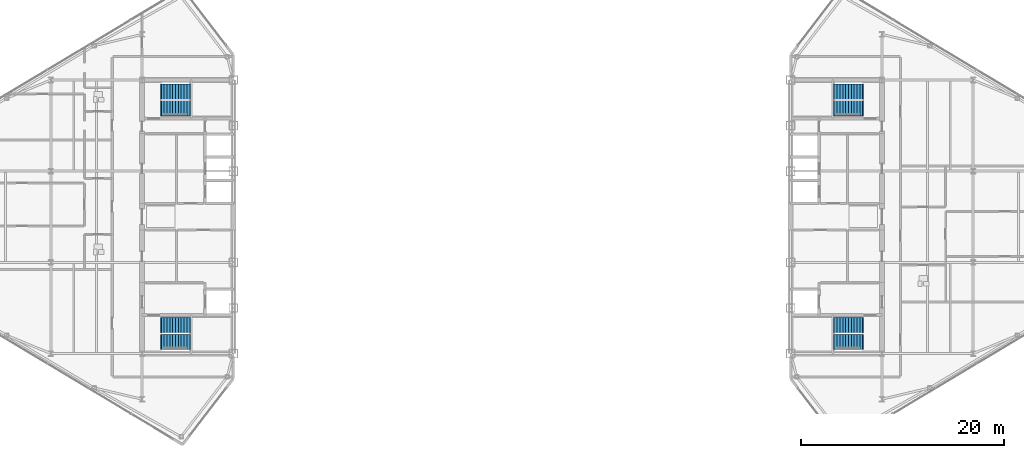
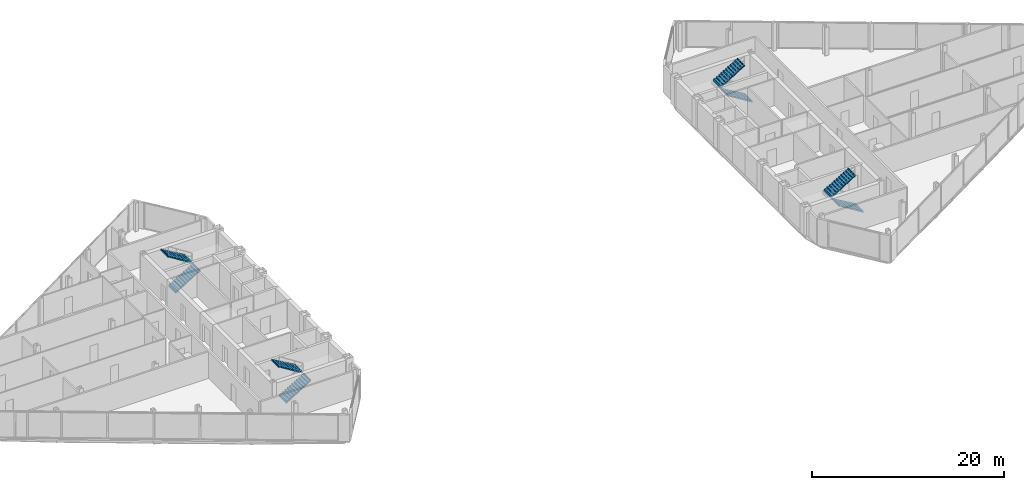
# One storey, part 23 of 25: 8 stair flights, 4 elements without a shape of their own.
"""IFC4 building model written with IfcOpenShell, lengths in metres."""

from ifc_helpers import new_model, si_unit, direction, frame, origin, place, context, subcontext, project, spatial, polyline, outline, extrude, material, type_object, element, aggregate, save


model = new_model("IFC4")

# Units and contexts
model_context = context("Model", 3, precision=1e-05, world=origin(), true_north=direction((0.0, 1.0)))
body_context = subcontext(model_context, "Body", "Model", "MODEL_VIEW")
ifc_project = project(units=[si_unit("LENGTHUNIT", "METRE"), si_unit("AREAUNIT", "SQUARE_METRE"), si_unit("VOLUMEUNIT", "CUBIC_METRE"), si_unit("PLANEANGLEUNIT", "RADIAN"), si_unit("MASSUNIT", "GRAM", prefix="KILO")], contexts=[model_context])

# Site, building, storey
site_placement = place(None, origin())
site = spatial("IfcSite", under=ifc_project, at=site_placement, CompositionType="ELEMENT")
building_placement = place(site_placement, origin())
building = spatial("IfcBuilding", under=site, at=building_placement, Name="Seokmaru Belvedere", CompositionType="ELEMENT")
storey_placement = place(building_placement, frame((0.0, 0.0, 217.5)))
storey = spatial("IfcBuildingStorey", under=building, at=storey_placement, Name="L58", CompositionType="ELEMENT", Elevation=217.5)

# Stair, stair flights
ifc_material = material(Name="Concrete C40 (40 MPa)", Category="concrete")
stair_type = type_object("IfcStairType", Name="Typical Tower Core Dog-Leg Stair 3600", PredefinedType="TWO_STRAIGHT_RUN_STAIR", material=ifc_material)
stair_1_placement = place(storey_placement, origin())
stair_1 = element("IfcStair", 1, at=stair_1_placement, inside=storey, type_object=stair_type, Name="L58 Special Escape Stair ST-W1", PredefinedType="TWO_STRAIGHT_RUN_STAIR")
stair_flight_type = type_object("IfcStairFlightType", Name="Reinforced Concrete Stair Flight 1500", PredefinedType="STRAIGHT", material=ifc_material)
stair_flight_1_placement = place(storey_placement, frame((-34.60009765625, -12.35009765625, 0.0), z_axis=(0.0, 0.0, 1.0), x_axis=(1.0, 0.0, 0.0)))
stair_flight_1 = element("IfcStairFlight", 2, at=stair_flight_1_placement, type_object=stair_flight_type, Name="ST-W1 flight 1", NumberOfRisers=11, NumberOfTreads=10, PredefinedType="STRAIGHT", RiserHeight=0.163636364, TreadLength=0.28, context=body_context, shape_type="SweptSolid", body=[
    extrude(outline(polyline([(-0.080078125, 0.0), (0.0, 0.16357421875), (0.280029296875, 0.16357421875), (0.280029296875, 0.327392578125), (0.56005859375, 0.327392578125), (0.56005859375, 0.490966796875), (0.840087890625, 0.490966796875), (0.840087890625, 0.654541015625), (1.1201171875, 0.654541015625), (1.1201171875, 0.818115234375), (1.39990234375, 0.818115234375), (1.39990234375, 0.98193359375), (1.679931640625, 0.98193359375), (1.679931640625, 1.1455078125), (1.9599609375, 1.1455078125), (1.9599609375, 1.30908203125), (2.239990234375, 1.30908203125), (2.239990234375, 1.47265625), (2.52001953125, 1.47265625), (2.52001953125, 1.636474609375), (2.800048828125, 1.636474609375), (2.800048828125, 1.800048828125), (2.8798828125, 1.800048828125), (2.8798828125, 1.610107421875), (2.800048828125, 1.610107421875), (0.0, -0.159912109375), (-0.080078125, -0.159912109375), (-0.080078125, 0.0)])), frame((0.0, 0.75, 0.0), z_axis=(0.0, -1.0, 0.0), x_axis=(1.0, 0.0, 0.0)), (0.0, 0.0, 1.0), 1.5),
])
stair_flight_2_placement = place(storey_placement, frame((-31.800048828125, -10.7099609375, 1.800048828125), z_axis=(0.0, 0.0, 1.0), x_axis=(-1.0, 0.0, 0.0)))
stair_flight_2 = element("IfcStairFlight", 3, at=stair_flight_2_placement, type_object=stair_flight_type, Name="ST-W1 flight 2", NumberOfRisers=11, NumberOfTreads=10, PredefinedType="STRAIGHT", RiserHeight=0.163636364, TreadLength=0.28, context=body_context, shape_type="SweptSolid", body=[
    extrude(outline(polyline([(-0.080078125, 0.0), (0.0, 0.16357421875), (0.280029296875, 0.16357421875), (0.280029296875, 0.327392578125), (0.56005859375, 0.327392578125), (0.56005859375, 0.490966796875), (0.840087890625, 0.490966796875), (0.840087890625, 0.654541015625), (1.1201171875, 0.654541015625), (1.1201171875, 0.818115234375), (1.39990234375, 0.818115234375), (1.39990234375, 0.98193359375), (1.679931640625, 0.98193359375), (1.679931640625, 1.1455078125), (1.9599609375, 1.1455078125), (1.9599609375, 1.30908203125), (2.239990234375, 1.30908203125), (2.239990234375, 1.47265625), (2.52001953125, 1.47265625), (2.52001953125, 1.636474609375), (2.800048828125, 1.636474609375), (2.800048828125, 1.800048828125), (2.8798828125, 1.800048828125), (2.8798828125, 1.610107421875), (2.800048828125, 1.610107421875), (0.0, -0.159912109375), (-0.080078125, -0.159912109375), (-0.080078125, 0.0)])), frame((0.0, 0.75, 0.0), z_axis=(0.0, -1.0, 0.0), x_axis=(1.0, 0.0, 0.0)), (0.0, 0.0, 1.0), 1.5),
])
aggregate(stair_1, [stair_flight_1, stair_flight_2])

stair_2_placement = place(storey_placement, origin())
stair_2 = element("IfcStair", 4, at=stair_2_placement, inside=storey, type_object=stair_type, Name="L58 Special Escape Stair ST-W2", PredefinedType="TWO_STRAIGHT_RUN_STAIR")
stair_flight_3_placement = place(storey_placement, frame((-34.60009765625, 10.7099609375, 0.0), z_axis=(0.0, 0.0, 1.0), x_axis=(1.0, 0.0, 0.0)))
stair_flight_3 = element("IfcStairFlight", 5, at=stair_flight_3_placement, type_object=stair_flight_type, Name="ST-W2 flight 1", NumberOfRisers=11, NumberOfTreads=10, PredefinedType="STRAIGHT", RiserHeight=0.163636364, TreadLength=0.28, context=body_context, shape_type="SweptSolid", body=[
    extrude(outline(polyline([(-0.080078125, 0.0), (0.0, 0.16357421875), (0.280029296875, 0.16357421875), (0.280029296875, 0.327392578125), (0.56005859375, 0.327392578125), (0.56005859375, 0.490966796875), (0.840087890625, 0.490966796875), (0.840087890625, 0.654541015625), (1.1201171875, 0.654541015625), (1.1201171875, 0.818115234375), (1.39990234375, 0.818115234375), (1.39990234375, 0.98193359375), (1.679931640625, 0.98193359375), (1.679931640625, 1.1455078125), (1.9599609375, 1.1455078125), (1.9599609375, 1.30908203125), (2.239990234375, 1.30908203125), (2.239990234375, 1.47265625), (2.52001953125, 1.47265625), (2.52001953125, 1.636474609375), (2.800048828125, 1.636474609375), (2.800048828125, 1.800048828125), (2.8798828125, 1.800048828125), (2.8798828125, 1.610107421875), (2.800048828125, 1.610107421875), (0.0, -0.159912109375), (-0.080078125, -0.159912109375), (-0.080078125, 0.0)])), frame((0.0, 0.75, 0.0), z_axis=(0.0, -1.0, 0.0), x_axis=(1.0, 0.0, 0.0)), (0.0, 0.0, 1.0), 1.5),
])
stair_flight_4_placement = place(storey_placement, frame((-31.800048828125, 12.35009765625, 1.800048828125), z_axis=(0.0, 0.0, 1.0), x_axis=(-1.0, 0.0, 0.0)))
stair_flight_4 = element("IfcStairFlight", 6, at=stair_flight_4_placement, type_object=stair_flight_type, Name="ST-W2 flight 2", NumberOfRisers=11, NumberOfTreads=10, PredefinedType="STRAIGHT", RiserHeight=0.163636364, TreadLength=0.28, context=body_context, shape_type="SweptSolid", body=[
    extrude(outline(polyline([(-0.080078125, 0.0), (0.0, 0.16357421875), (0.280029296875, 0.16357421875), (0.280029296875, 0.327392578125), (0.56005859375, 0.327392578125), (0.56005859375, 0.490966796875), (0.840087890625, 0.490966796875), (0.840087890625, 0.654541015625), (1.1201171875, 0.654541015625), (1.1201171875, 0.818115234375), (1.39990234375, 0.818115234375), (1.39990234375, 0.98193359375), (1.679931640625, 0.98193359375), (1.679931640625, 1.1455078125), (1.9599609375, 1.1455078125), (1.9599609375, 1.30908203125), (2.239990234375, 1.30908203125), (2.239990234375, 1.47265625), (2.52001953125, 1.47265625), (2.52001953125, 1.636474609375), (2.800048828125, 1.636474609375), (2.800048828125, 1.800048828125), (2.8798828125, 1.800048828125), (2.8798828125, 1.610107421875), (2.800048828125, 1.610107421875), (0.0, -0.159912109375), (-0.080078125, -0.159912109375), (-0.080078125, 0.0)])), frame((0.0, 0.75, 0.0), z_axis=(0.0, -1.0, 0.0), x_axis=(1.0, 0.0, 0.0)), (0.0, 0.0, 1.0), 1.5),
])
aggregate(stair_2, [stair_flight_3, stair_flight_4])

stair_3_placement = place(storey_placement, origin())
stair_3 = element("IfcStair", 7, at=stair_3_placement, inside=storey, type_object=stair_type, Name="L58 Special Escape Stair ST-E1", PredefinedType="TWO_STRAIGHT_RUN_STAIR")
stair_flight_5_placement = place(storey_placement, frame((34.60009765625, -12.35009765625, 0.0), z_axis=(0.0, 0.0, 1.0), x_axis=(-1.0, 0.0, 0.0)))
stair_flight_5 = element("IfcStairFlight", 8, at=stair_flight_5_placement, type_object=stair_flight_type, Name="ST-E1 flight 1", NumberOfRisers=11, NumberOfTreads=10, PredefinedType="STRAIGHT", RiserHeight=0.163636364, TreadLength=0.28, context=body_context, shape_type="SweptSolid", body=[
    extrude(outline(polyline([(-0.080078125, 0.0), (0.0, 0.16357421875), (0.280029296875, 0.16357421875), (0.280029296875, 0.327392578125), (0.56005859375, 0.327392578125), (0.56005859375, 0.490966796875), (0.840087890625, 0.490966796875), (0.840087890625, 0.654541015625), (1.1201171875, 0.654541015625), (1.1201171875, 0.818115234375), (1.39990234375, 0.818115234375), (1.39990234375, 0.98193359375), (1.679931640625, 0.98193359375), (1.679931640625, 1.1455078125), (1.9599609375, 1.1455078125), (1.9599609375, 1.30908203125), (2.239990234375, 1.30908203125), (2.239990234375, 1.47265625), (2.52001953125, 1.47265625), (2.52001953125, 1.636474609375), (2.800048828125, 1.636474609375), (2.800048828125, 1.800048828125), (2.8798828125, 1.800048828125), (2.8798828125, 1.610107421875), (2.800048828125, 1.610107421875), (0.0, -0.159912109375), (-0.080078125, -0.159912109375), (-0.080078125, 0.0)])), frame((0.0, 0.75, 0.0), z_axis=(0.0, -1.0, 0.0), x_axis=(1.0, 0.0, 0.0)), (0.0, 0.0, 1.0), 1.5),
])
stair_flight_6_placement = place(storey_placement, frame((31.800048828125, -10.7099609375, 1.800048828125), z_axis=(0.0, 0.0, 1.0), x_axis=(1.0, 0.0, 0.0)))
stair_flight_6 = element("IfcStairFlight", 9, at=stair_flight_6_placement, type_object=stair_flight_type, Name="ST-E1 flight 2", NumberOfRisers=11, NumberOfTreads=10, PredefinedType="STRAIGHT", RiserHeight=0.163636364, TreadLength=0.28, context=body_context, shape_type="SweptSolid", body=[
    extrude(outline(polyline([(-0.080078125, 0.0), (0.0, 0.16357421875), (0.280029296875, 0.16357421875), (0.280029296875, 0.327392578125), (0.56005859375, 0.327392578125), (0.56005859375, 0.490966796875), (0.840087890625, 0.490966796875), (0.840087890625, 0.654541015625), (1.1201171875, 0.654541015625), (1.1201171875, 0.818115234375), (1.39990234375, 0.818115234375), (1.39990234375, 0.98193359375), (1.679931640625, 0.98193359375), (1.679931640625, 1.1455078125), (1.9599609375, 1.1455078125), (1.9599609375, 1.30908203125), (2.239990234375, 1.30908203125), (2.239990234375, 1.47265625), (2.52001953125, 1.47265625), (2.52001953125, 1.636474609375), (2.800048828125, 1.636474609375), (2.800048828125, 1.800048828125), (2.8798828125, 1.800048828125), (2.8798828125, 1.610107421875), (2.800048828125, 1.610107421875), (0.0, -0.159912109375), (-0.080078125, -0.159912109375), (-0.080078125, 0.0)])), frame((0.0, 0.75, 0.0), z_axis=(0.0, -1.0, 0.0), x_axis=(1.0, 0.0, 0.0)), (0.0, 0.0, 1.0), 1.5),
])
aggregate(stair_3, [stair_flight_5, stair_flight_6])

stair_4_placement = place(storey_placement, origin())
stair_4 = element("IfcStair", 10, at=stair_4_placement, inside=storey, type_object=stair_type, Name="L58 Special Escape Stair ST-E2", PredefinedType="TWO_STRAIGHT_RUN_STAIR")
stair_flight_7_placement = place(storey_placement, frame((34.60009765625, 10.7099609375, 0.0), z_axis=(0.0, 0.0, 1.0), x_axis=(-1.0, 0.0, 0.0)))
stair_flight_7 = element("IfcStairFlight", 11, at=stair_flight_7_placement, type_object=stair_flight_type, Name="ST-E2 flight 1", NumberOfRisers=11, NumberOfTreads=10, PredefinedType="STRAIGHT", RiserHeight=0.163636364, TreadLength=0.28, context=body_context, shape_type="SweptSolid", body=[
    extrude(outline(polyline([(-0.080078125, 0.0), (0.0, 0.16357421875), (0.280029296875, 0.16357421875), (0.280029296875, 0.327392578125), (0.56005859375, 0.327392578125), (0.56005859375, 0.490966796875), (0.840087890625, 0.490966796875), (0.840087890625, 0.654541015625), (1.1201171875, 0.654541015625), (1.1201171875, 0.818115234375), (1.39990234375, 0.818115234375), (1.39990234375, 0.98193359375), (1.679931640625, 0.98193359375), (1.679931640625, 1.1455078125), (1.9599609375, 1.1455078125), (1.9599609375, 1.30908203125), (2.239990234375, 1.30908203125), (2.239990234375, 1.47265625), (2.52001953125, 1.47265625), (2.52001953125, 1.636474609375), (2.800048828125, 1.636474609375), (2.800048828125, 1.800048828125), (2.8798828125, 1.800048828125), (2.8798828125, 1.610107421875), (2.800048828125, 1.610107421875), (0.0, -0.159912109375), (-0.080078125, -0.159912109375), (-0.080078125, 0.0)])), frame((0.0, 0.75, 0.0), z_axis=(0.0, -1.0, 0.0), x_axis=(1.0, 0.0, 0.0)), (0.0, 0.0, 1.0), 1.5),
])
stair_flight_8_placement = place(storey_placement, frame((31.800048828125, 12.35009765625, 1.800048828125), z_axis=(0.0, 0.0, 1.0), x_axis=(1.0, 0.0, 0.0)))
stair_flight_8 = element("IfcStairFlight", 12, at=stair_flight_8_placement, type_object=stair_flight_type, Name="ST-E2 flight 2", NumberOfRisers=11, NumberOfTreads=10, PredefinedType="STRAIGHT", RiserHeight=0.163636364, TreadLength=0.28, context=body_context, shape_type="SweptSolid", body=[
    extrude(outline(polyline([(-0.080078125, 0.0), (0.0, 0.16357421875), (0.280029296875, 0.16357421875), (0.280029296875, 0.327392578125), (0.56005859375, 0.327392578125), (0.56005859375, 0.490966796875), (0.840087890625, 0.490966796875), (0.840087890625, 0.654541015625), (1.1201171875, 0.654541015625), (1.1201171875, 0.818115234375), (1.39990234375, 0.818115234375), (1.39990234375, 0.98193359375), (1.679931640625, 0.98193359375), (1.679931640625, 1.1455078125), (1.9599609375, 1.1455078125), (1.9599609375, 1.30908203125), (2.239990234375, 1.30908203125), (2.239990234375, 1.47265625), (2.52001953125, 1.47265625), (2.52001953125, 1.636474609375), (2.800048828125, 1.636474609375), (2.800048828125, 1.800048828125), (2.8798828125, 1.800048828125), (2.8798828125, 1.610107421875), (2.800048828125, 1.610107421875), (0.0, -0.159912109375), (-0.080078125, -0.159912109375), (-0.080078125, 0.0)])), frame((0.0, 0.75, 0.0), z_axis=(0.0, -1.0, 0.0), x_axis=(1.0, 0.0, 0.0)), (0.0, 0.0, 1.0), 1.5),
])
aggregate(stair_4, [stair_flight_7, stair_flight_8])

save(model, "model.ifc")
